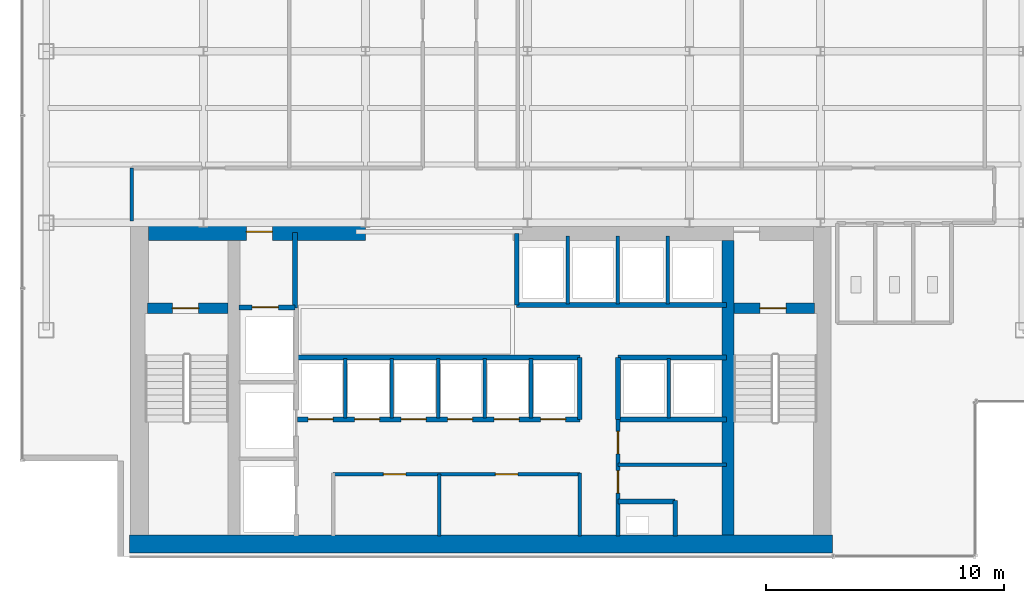
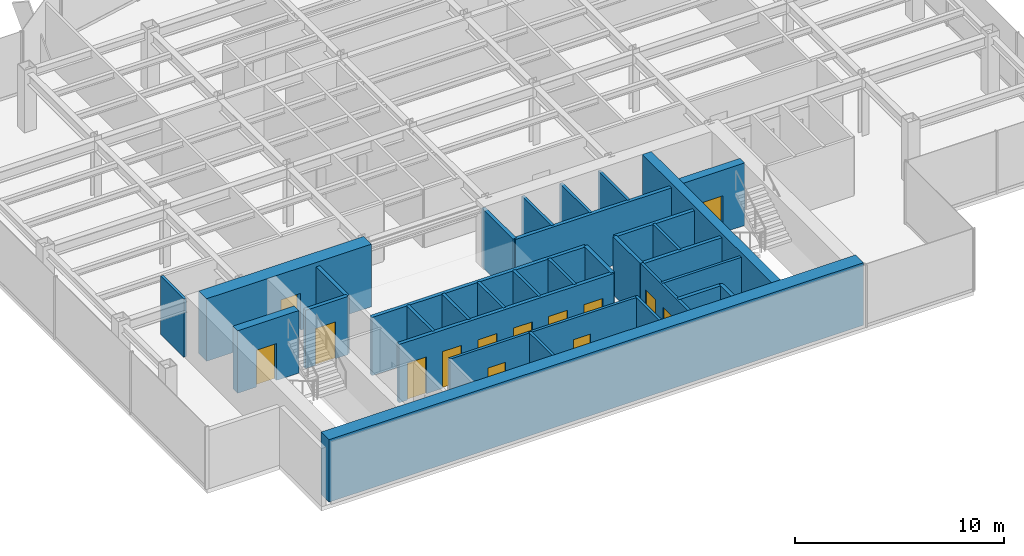
# One storey, part 20 of 25: 32 walls, 14 doors, 14 openings.
"""IFC4 building model written with IfcOpenShell, lengths in metres."""

from ifc_helpers import new_model, si_unit, derived_unit, direction, frame, frame_2d, origin, place, context, subcontext, project, spatial, rectangle, extrude, source, transform, mapped, material, layer, layer_set, type_object, element, fill, save


model = new_model("IFC4")

# Units and contexts
model_context = context("Model", 3, precision=1e-05, world=origin(), true_north=direction((0.0, 1.0)))
body_context = subcontext(model_context, "Body", "Model", "MODEL_VIEW")
ifc_project = project(units=[si_unit("LENGTHUNIT", "METRE"), si_unit("AREAUNIT", "SQUARE_METRE"), si_unit("VOLUMEUNIT", "CUBIC_METRE"), si_unit("PLANEANGLEUNIT", "RADIAN"), si_unit("MASSUNIT", "GRAM", prefix="KILO"), derived_unit("THERMALTRANSMITTANCEUNIT", [(si_unit("POWERUNIT", "WATT"), 1), (si_unit("LENGTHUNIT", "METRE"), -2), (si_unit("THERMODYNAMICTEMPERATUREUNIT", "KELVIN"), -1)])], contexts=[model_context])

# Site, building, storey
site_placement = place(None, origin())
site = spatial("IfcSite", under=ifc_project, at=site_placement, CompositionType="ELEMENT")
building_placement = place(site_placement, origin())
building = spatial("IfcBuilding", under=site, at=building_placement, Name="Skarnbrae Concourse Arena and Tower", CompositionType="ELEMENT")
storey_placement = place(building_placement, frame((0.0, 0.0, 158.85009765625)))
storey = spatial("IfcBuildingStorey", under=building, at=storey_placement, Name="L40", CompositionType="ELEMENT", Elevation=158.85009765625)

# Wall, opening, door
ifc_material_1 = material(Name="Concrete 50 MPa (C50/60)", Category="concrete")
ifc_layer_1 = layer(ifc_material_1, 0.449951171875)
ifc_layer_set_1 = layer_set([ifc_layer_1], Name="Concrete 50 MPa (C50/60)")
wall_type_1 = type_object("IfcWallType", Name="WALL-CORE-450-C50", PredefinedType="SHEAR", material=ifc_layer_set_1)
shared_shape_1 = source(origin(), body_context, "Body", "SweptSolid", [
    extrude(rectangle(XDim=3.389892578125, YDim=0.449951171875, at=frame_2d((1.69482421875, 0.0))), origin(), (0.0, 0.0, 1.0), 3.64990234375),
])
wall_1_placement = place(storey_placement, frame((5.25, 10.419921875, 0.0), z_axis=(0.0, 0.0, 1.0), x_axis=(1.0, 0.0, 0.0)))
wall_1 = element("IfcWall", 1, at=wall_1_placement, inside=storey, type_object=wall_type_1, Name="L40 Rear core shear wall CW-ST1-N", PredefinedType="SHEAR", context=body_context, shape_type="MappedRepresentation", body=[
    mapped(shared_shape_1, transform((0.0, 0.0, 0.0))),
])
opening_1_placement = place(wall_1_placement, frame((1.050048828125, 0.0, 0.0)))
opening_1 = element("IfcOpeningElement", 2, at=opening_1_placement, cuts=wall_1, Name="Opening DT-03", PredefinedType="OPENING", context=body_context, shape_type="SweptSolid", body=[
    extrude(rectangle(XDim=1.10009765625, YDim=2.14990234375, at=frame_2d((0.550048828125, 1.074951171875))), frame((0.0, 0.23486328125, 0.0), z_axis=(0.0, -1.0, 0.0), x_axis=(1.0, 0.0, 0.0)), (0.0, 0.0, 1.0), 0.469970703125),
])
ifc_material_2 = material(Name="Steel CSA G40.21 350W", Category="steel")
door_type_1 = type_object("IfcDoorType", Name="DOOR-FIRE-1100-90M", OperationType="NOTDEFINED", PredefinedType="DOOR", material=ifc_material_2)
shared_shape_2 = source(origin(), body_context, "Body", "SweptSolid", [
    extrude(rectangle(XDim=1.10009765625, YDim=2.14990234375, at=frame_2d((0.550048828125, 1.074951171875))), frame((0.0, 0.02490234375, 0.0), z_axis=(0.0, -1.0, 0.0), x_axis=(1.0, 0.0, 0.0)), (0.0, 0.0, 1.0), 0.050048828125),
])
door_1_placement = place(opening_1_placement, frame((1.10009765625, 0.0, 0.0), z_axis=(0.0, 0.0, 1.0), x_axis=(-1.0, 0.0, 0.0)))
door_1 = element("IfcDoor", 3, at=door_1_placement, inside=storey, type_object=door_type_1, Name="D-1235 Stair ST-1 Door", OperationType="SINGLE_SWING_LEFT", OverallHeight=2.14990234375, OverallWidth=1.10009765625, PredefinedType="DOOR", context=body_context, shape_type="MappedRepresentation", body=[
    mapped(shared_shape_2, transform((0.0, 0.0, 0.0))),
])
fill(opening_1, door_1)

wall_2_placement = place(storey_placement, frame((29.860107421875, 10.419921875, 0.0), z_axis=(0.0, 0.0, 1.0), x_axis=(1.0, 0.0, 0.0)))
wall_2 = element("IfcWall", 4, at=wall_2_placement, inside=storey, type_object=wall_type_1, Name="L40 Rear core shear wall CW-ST2-N", PredefinedType="SHEAR", context=body_context, shape_type="MappedRepresentation", body=[
    mapped(shared_shape_1, transform((0.0, 0.0, 0.0))),
])
opening_2_placement = place(wall_2_placement, frame((1.10009765625, 0.0, 0.0)))
opening_2 = element("IfcOpeningElement", 5, at=opening_2_placement, cuts=wall_2, Name="Opening DT-03", PredefinedType="OPENING", context=body_context, shape_type="SweptSolid", body=[
    extrude(rectangle(XDim=1.10009765625, YDim=2.14990234375, at=frame_2d((0.550048828125, 1.074951171875))), frame((0.0, 0.23486328125, 0.0), z_axis=(0.0, -1.0, 0.0), x_axis=(1.0, 0.0, 0.0)), (0.0, 0.0, 1.0), 0.469970703125),
])
door_2_placement = place(opening_2_placement, frame((1.10009765625, 0.0, 0.0), z_axis=(0.0, 0.0, 1.0), x_axis=(-1.0, 0.0, 0.0)))
door_2 = element("IfcDoor", 6, at=door_2_placement, inside=storey, type_object=door_type_1, Name="D-1236 Stair ST-2 Door", OperationType="SINGLE_SWING_RIGHT", OverallHeight=2.14990234375, OverallWidth=1.10009765625, PredefinedType="DOOR", context=body_context, shape_type="MappedRepresentation", body=[
    mapped(shared_shape_2, transform((0.0, 0.0, 0.0))),
])
fill(opening_2, door_2)

# Wall
ifc_material_3 = material(Name="Concrete 60 MPa (C60/75)", Category="concrete")
ifc_layer_2 = layer(ifc_material_3, 0.75)
ifc_layer_set_2 = layer_set([ifc_layer_2], Name="Concrete 60 MPa (C60/75)")
wall_type_2 = type_object("IfcWallType", Name="WALL-CORE-750-C60", PredefinedType="SHEAR", material=ifc_layer_set_2)
shared_shape_3 = source(origin(), body_context, "Body", "SweptSolid", [
    extrude(rectangle(XDim=29.5, YDim=0.75, at=frame_2d((14.75, 0.0))), origin(), (0.0, 0.0, 1.0), 3.64990234375),
])
wall_3_placement = place(storey_placement, frame((4.5, 0.52490234375, 0.0), z_axis=(0.0, 0.0, 1.0), x_axis=(1.0, 0.0, 0.0)))
element("IfcWall", 7, at=wall_3_placement, inside=storey, type_object=wall_type_2, Name="L40 Rear core shear wall CW-S", PredefinedType="SHEAR", context=body_context, shape_type="MappedRepresentation", body=[
    mapped(shared_shape_3, transform((0.0, 0.0, 0.0))),
])

# Wall, opening, door
shared_shape_4 = source(origin(), body_context, "Body", "SweptSolid", [
    extrude(rectangle(XDim=9.099853515625, YDim=0.75, at=frame_2d((4.5498046875, 0.0))), origin(), (0.0, 0.0, 1.0), 3.64990234375),
])
wall_4_placement = place(storey_placement, frame((5.300048828125, 13.625, 0.0), z_axis=(0.0, 0.0, 1.0), x_axis=(1.0, 0.0, 0.0)))
wall_4 = element("IfcWall", 8, at=wall_4_placement, inside=storey, type_object=wall_type_2, Name="L40 Rear core shear wall CW-NW", PredefinedType="SHEAR", context=body_context, shape_type="MappedRepresentation", body=[
    mapped(shared_shape_4, transform((0.0, 0.0, 0.0))),
])
opening_3_placement = place(wall_4_placement, frame((4.10009765625, 0.0, 0.0)))
opening_3 = element("IfcOpeningElement", 9, at=opening_3_placement, cuts=wall_4, Name="Opening DT-03", PredefinedType="OPENING", context=body_context, shape_type="SweptSolid", body=[
    extrude(rectangle(XDim=1.10009765625, YDim=2.14990234375, at=frame_2d((0.550048828125, 1.074951171875))), frame((0.0, 0.385009765625, 0.0), z_axis=(0.0, -1.0, 0.0), x_axis=(1.0, 0.0, 0.0)), (0.0, 0.0, 1.0), 0.77001953125),
])
door_3_placement = place(opening_3_placement, origin())
door_3 = element("IfcDoor", 10, at=door_3_placement, inside=storey, type_object=door_type_1, Name="D-1237 Firefighting Lobby Exit Door", OperationType="SINGLE_SWING_RIGHT", OverallHeight=2.14990234375, OverallWidth=1.10009765625, PredefinedType="DOOR", context=body_context, shape_type="MappedRepresentation", body=[
    mapped(shared_shape_2, transform((0.0, 0.0, 0.0))),
])
fill(opening_3, door_3)

# Walls
ifc_layer_3 = layer(ifc_material_3, 0.5)
ifc_layer_set_3 = layer_set([ifc_layer_3], Name="Concrete 60 MPa (C60/75)")
wall_type_3 = type_object("IfcWallType", Name="WALL-CORE-500-C60", PredefinedType="SHEAR", material=ifc_layer_set_3)
shared_shape_5 = source(origin(), body_context, "Body", "SweptSolid", [
    extrude(rectangle(XDim=12.35009765625, YDim=0.5, at=frame_2d((6.175048828125, 0.0))), origin(), (0.0, 0.0, 1.0), 3.64990234375),
])
wall_5_placement = place(storey_placement, frame((29.610107421875, 0.89990234375, 0.0), z_axis=(0.0, 0.0, 1.0), x_axis=(0.0, 1.0, 0.0)))
element("IfcWall", 11, at=wall_5_placement, inside=storey, type_object=wall_type_3, Name="L40 Rear core shear wall CW-WEB-E", PredefinedType="SHEAR", context=body_context, shape_type="MappedRepresentation", body=[
    mapped(shared_shape_5, transform((0.0, 0.0, 0.0))),
])
ifc_material_4 = material(Name="Gypsum board on cold-formed steel studs", Category="steel")
ifc_layer_4 = layer(ifc_material_4, 0.199951171875)
ifc_layer_set_4 = layer_set([ifc_layer_4], Name="Gypsum board on cold-formed steel studs")
wall_type_4 = type_object("IfcWallType", Name="WALL-PART-200-2HR", PredefinedType="PARTITIONING", material=ifc_layer_set_4)
shared_shape_6 = source(origin(), body_context, "Body", "SweptSolid", [
    extrude(rectangle(XDim=3.18017578125, YDim=0.199951171875, at=frame_2d((1.590087890625, 0.0))), origin(), (0.0, 0.0, 1.0), 3.39990234375),
])
wall_6_placement = place(storey_placement, frame((11.449951171875, 10.419921875, 0.0), z_axis=(0.0, 0.0, 1.0), x_axis=(0.0, 1.0, 0.0)))
element("IfcWall", 12, at=wall_6_placement, inside=storey, type_object=wall_type_4, Name="L40 Interior partition wall W-L40-FFL-E", PredefinedType="PARTITIONING", context=body_context, shape_type="MappedRepresentation", body=[
    mapped(shared_shape_6, transform((0.0, 0.0, 0.0))),
])

# Wall, opening, door
shared_shape_7 = source(origin(), body_context, "Body", "SweptSolid", [
    extrude(rectangle(XDim=2.349853515625, YDim=0.199951171875, at=frame_2d((1.1748046875, 0.0))), origin(), (0.0, 0.0, 1.0), 3.39990234375),
])
wall_7_placement = place(storey_placement, frame((9.10009765625, 10.449951171875, 0.0), z_axis=(0.0, 0.0, 1.0), x_axis=(1.0, 0.0, 0.0)))
wall_7 = element("IfcWall", 13, at=wall_7_placement, inside=storey, type_object=wall_type_4, Name="L40 Interior partition wall W-L40-FL1-N", PredefinedType="PARTITIONING", context=body_context, shape_type="MappedRepresentation", body=[
    mapped(shared_shape_7, transform((0.0, 0.0, 0.0))),
])
opening_4_placement = place(wall_7_placement, frame((0.550048828125, 0.0, 0.0)))
opening_4 = element("IfcOpeningElement", 14, at=opening_4_placement, cuts=wall_7, Name="Opening LD-01", PredefinedType="OPENING", context=body_context, shape_type="SweptSolid", body=[
    extrude(rectangle(XDim=1.10009765625, YDim=2.14990234375, at=frame_2d((0.550048828125, 1.074951171875))), frame((0.0, 0.10986328125, 0.0), z_axis=(0.0, -1.0, 0.0), x_axis=(1.0, 0.0, 0.0)), (0.0, 0.0, 1.0), 0.219970703125),
])
door_type_2 = type_object("IfcDoorType", Name="DOOR-LIFT-SLIDE-1100", OperationType="SLIDING_TO_LEFT", PredefinedType="DOOR", material=ifc_material_2)
door_4_placement = place(opening_4_placement, origin())
door_4 = element("IfcDoor", 15, at=door_4_placement, inside=storey, type_object=door_type_2, Name="D-1239 Firefighting Lift Landing Door FL-01", OperationType="SLIDING_TO_LEFT", OverallHeight=2.14990234375, OverallWidth=1.10009765625, PredefinedType="DOOR", context=body_context, shape_type="MappedRepresentation", body=[
    mapped(shared_shape_2, transform((0.0, 0.0, 0.0))),
])
fill(opening_4, door_4)

# Wall
ifc_layer_5 = layer(ifc_material_4, 0.14990234375)
ifc_layer_set_5 = layer_set([ifc_layer_5], Name="Gypsum board on cold-formed steel studs")
wall_type_5 = type_object("IfcWallType", Name="WALL-PART-150", PredefinedType="PARTITIONING", material=ifc_layer_set_5)
shared_shape_8 = source(origin(), body_context, "Body", "SweptSolid", [
    extrude(rectangle(XDim=2.599853515625, YDim=0.14990234375, at=frame_2d((1.2998046875, 0.0))), origin(), (0.0, 0.0, 1.0), 3.39990234375),
])
wall_8_placement = place(storey_placement, frame((17.5, 0.85009765625, 0.0), z_axis=(0.0, 0.0, 1.0), x_axis=(0.0, 1.0, 0.0)))
element("IfcWall", 16, at=wall_8_placement, inside=storey, type_object=wall_type_5, Name="L40 Interior partition wall W-L40-B1M-C1", PredefinedType="PARTITIONING", context=body_context, shape_type="MappedRepresentation", body=[
    mapped(shared_shape_8, transform((0.0, 0.0, 0.0))),
])

# Wall, openings, doors
shared_shape_9 = source(origin(), body_context, "Body", "SweptSolid", [
    extrude(rectangle(XDim=11.849853515625, YDim=0.199951171875, at=frame_2d((5.9248046875, 0.0))), origin(), (0.0, 0.0, 1.0), 3.39990234375),
])
wall_9_placement = place(storey_placement, frame((11.550048828125, 5.75, 0.0), z_axis=(0.0, 0.0, 1.0), x_axis=(1.0, 0.0, 0.0)))
wall_9 = element("IfcWall", 17, at=wall_9_placement, inside=storey, type_object=wall_type_4, Name="L40 Interior partition wall W-L40-B2-S", PredefinedType="PARTITIONING", context=body_context, shape_type="MappedRepresentation", body=[
    mapped(shared_shape_9, transform((0.0, 0.0, 0.0))),
])
opening_5_placement = place(wall_9_placement, frame((0.449951171875, 0.0, 0.0)))
opening_5 = element("IfcOpeningElement", 18, at=opening_5_placement, cuts=wall_9, Name="Opening LD-03", PredefinedType="OPENING", context=body_context, shape_type="SweptSolid", body=[
    extrude(rectangle(XDim=1.050048828125, YDim=2.14990234375, at=frame_2d((0.52490234375, 1.074951171875))), frame((0.0, 0.10986328125, 0.0), z_axis=(0.0, -1.0, 0.0), x_axis=(1.0, 0.0, 0.0)), (0.0, 0.0, 1.0), 0.219970703125),
])
opening_6_placement = place(wall_9_placement, frame((2.39990234375, 0.0, 0.0)))
opening_6 = element("IfcOpeningElement", 19, at=opening_6_placement, cuts=wall_9, Name="Opening LD-03", PredefinedType="OPENING", context=body_context, shape_type="SweptSolid", body=[
    extrude(rectangle(XDim=1.050048828125, YDim=2.14990234375, at=frame_2d((0.52490234375, 1.074951171875))), frame((0.0, 0.10986328125, 0.0), z_axis=(0.0, -1.0, 0.0), x_axis=(1.0, 0.0, 0.0)), (0.0, 0.0, 1.0), 0.219970703125),
])
opening_7_placement = place(wall_9_placement, frame((4.35009765625, 0.0, 0.0)))
opening_7 = element("IfcOpeningElement", 20, at=opening_7_placement, cuts=wall_9, Name="Opening LD-03", PredefinedType="OPENING", context=body_context, shape_type="SweptSolid", body=[
    extrude(rectangle(XDim=1.050048828125, YDim=2.14990234375, at=frame_2d((0.52490234375, 1.074951171875))), frame((0.0, 0.10986328125, 0.0), z_axis=(0.0, -1.0, 0.0), x_axis=(1.0, 0.0, 0.0)), (0.0, 0.0, 1.0), 0.219970703125),
])
opening_8_placement = place(wall_9_placement, frame((6.300048828125, 0.0, 0.0)))
opening_8 = element("IfcOpeningElement", 21, at=opening_8_placement, cuts=wall_9, Name="Opening LD-03", PredefinedType="OPENING", context=body_context, shape_type="SweptSolid", body=[
    extrude(rectangle(XDim=1.050048828125, YDim=2.14990234375, at=frame_2d((0.52490234375, 1.074951171875))), frame((0.0, 0.10986328125, 0.0), z_axis=(0.0, -1.0, 0.0), x_axis=(1.0, 0.0, 0.0)), (0.0, 0.0, 1.0), 0.219970703125),
])
opening_9_placement = place(wall_9_placement, frame((8.25, 0.0, 0.0)))
opening_9 = element("IfcOpeningElement", 22, at=opening_9_placement, cuts=wall_9, Name="Opening LD-03", PredefinedType="OPENING", context=body_context, shape_type="SweptSolid", body=[
    extrude(rectangle(XDim=1.050048828125, YDim=2.14990234375, at=frame_2d((0.52490234375, 1.074951171875))), frame((0.0, 0.10986328125, 0.0), z_axis=(0.0, -1.0, 0.0), x_axis=(1.0, 0.0, 0.0)), (0.0, 0.0, 1.0), 0.219970703125),
])
opening_10_placement = place(wall_9_placement, frame((10.199951171875, 0.0, 0.0)))
opening_10 = element("IfcOpeningElement", 23, at=opening_10_placement, cuts=wall_9, Name="Opening LD-03", PredefinedType="OPENING", context=body_context, shape_type="SweptSolid", body=[
    extrude(rectangle(XDim=1.050048828125, YDim=2.14990234375, at=frame_2d((0.52490234375, 1.074951171875))), frame((0.0, 0.10986328125, 0.0), z_axis=(0.0, -1.0, 0.0), x_axis=(1.0, 0.0, 0.0)), (0.0, 0.0, 1.0), 0.219970703125),
])
ifc_material_5 = material(Name="Bronze anodised aluminium 6063-T6", Category="aluminium")
door_type_3 = type_object("IfcDoorType", Name="DOOR-LIFT-SLIDE-1050", OperationType="SLIDING_TO_LEFT", PredefinedType="DOOR", material=ifc_material_5)
shared_shape_10 = source(origin(), body_context, "Body", "SweptSolid", [
    extrude(rectangle(XDim=1.050048828125, YDim=2.14990234375, at=frame_2d((0.52490234375, 1.074951171875))), frame((0.0, 0.02490234375, 0.0), z_axis=(0.0, -1.0, 0.0), x_axis=(1.0, 0.0, 0.0)), (0.0, 0.0, 1.0), 0.050048828125),
])
door_5_placement = place(opening_5_placement, frame((1.050048828125, 0.0, 0.0), z_axis=(0.0, 0.0, 1.0), x_axis=(-1.0, 0.0, 0.0)))
door_5 = element("IfcDoor", 24, at=door_5_placement, inside=storey, type_object=door_type_3, Name="D-1244 Passenger Lift Landing Door PL-2A", OperationType="SLIDING_TO_LEFT", OverallHeight=2.14990234375, OverallWidth=1.050048828125, PredefinedType="DOOR", context=body_context, shape_type="MappedRepresentation", body=[
    mapped(shared_shape_10, transform((0.0, 0.0, 0.0))),
])
fill(opening_5, door_5)
door_6_placement = place(opening_6_placement, frame((1.050048828125, 0.0, 0.0), z_axis=(0.0, 0.0, 1.0), x_axis=(-1.0, 0.0, 0.0)))
door_6 = element("IfcDoor", 25, at=door_6_placement, inside=storey, type_object=door_type_3, Name="D-1245 Passenger Lift Landing Door PL-2B", OperationType="SLIDING_TO_LEFT", OverallHeight=2.14990234375, OverallWidth=1.050048828125, PredefinedType="DOOR", context=body_context, shape_type="MappedRepresentation", body=[
    mapped(shared_shape_10, transform((0.0, 0.0, 0.0))),
])
fill(opening_6, door_6)
door_7_placement = place(opening_7_placement, frame((1.050048828125, 0.0, 0.0), z_axis=(0.0, 0.0, 1.0), x_axis=(-1.0, 0.0, 0.0)))
door_7 = element("IfcDoor", 26, at=door_7_placement, inside=storey, type_object=door_type_3, Name="D-1246 Passenger Lift Landing Door PL-2C", OperationType="SLIDING_TO_LEFT", OverallHeight=2.14990234375, OverallWidth=1.050048828125, PredefinedType="DOOR", context=body_context, shape_type="MappedRepresentation", body=[
    mapped(shared_shape_10, transform((0.0, 0.0, 0.0))),
])
fill(opening_7, door_7)
door_8_placement = place(opening_8_placement, frame((1.050048828125, 0.0, 0.0), z_axis=(0.0, 0.0, 1.0), x_axis=(-1.0, 0.0, 0.0)))
door_8 = element("IfcDoor", 27, at=door_8_placement, inside=storey, type_object=door_type_3, Name="D-1247 Passenger Lift Landing Door PL-2D", OperationType="SLIDING_TO_LEFT", OverallHeight=2.14990234375, OverallWidth=1.050048828125, PredefinedType="DOOR", context=body_context, shape_type="MappedRepresentation", body=[
    mapped(shared_shape_10, transform((0.0, 0.0, 0.0))),
])
fill(opening_8, door_8)
door_9_placement = place(opening_9_placement, frame((1.050048828125, 0.0, 0.0), z_axis=(0.0, 0.0, 1.0), x_axis=(-1.0, 0.0, 0.0)))
door_9 = element("IfcDoor", 28, at=door_9_placement, inside=storey, type_object=door_type_3, Name="D-1248 Passenger Lift Landing Door PL-2E", OperationType="SLIDING_TO_LEFT", OverallHeight=2.14990234375, OverallWidth=1.050048828125, PredefinedType="DOOR", context=body_context, shape_type="MappedRepresentation", body=[
    mapped(shared_shape_10, transform((0.0, 0.0, 0.0))),
])
fill(opening_9, door_9)
door_10_placement = place(opening_10_placement, frame((1.050048828125, 0.0, 0.0), z_axis=(0.0, 0.0, 1.0), x_axis=(-1.0, 0.0, 0.0)))
door_10 = element("IfcDoor", 29, at=door_10_placement, inside=storey, type_object=door_type_3, Name="D-1249 Passenger Lift Landing Door PL-2F", OperationType="SLIDING_TO_LEFT", OverallHeight=2.14990234375, OverallWidth=1.050048828125, PredefinedType="DOOR", context=body_context, shape_type="MappedRepresentation", body=[
    mapped(shared_shape_10, transform((0.0, 0.0, 0.0))),
])
fill(opening_10, door_10)

# Walls
wall_10_placement = place(storey_placement, frame((11.550048828125, 8.35009765625, 0.0), z_axis=(0.0, 0.0, 1.0), x_axis=(1.0, 0.0, 0.0)))
element("IfcWall", 30, at=wall_10_placement, inside=storey, type_object=wall_type_4, Name="L40 Interior partition wall W-L40-B2-N", PredefinedType="PARTITIONING", context=body_context, shape_type="MappedRepresentation", body=[
    mapped(shared_shape_9, transform((0.0, 0.0, 0.0))),
])
shared_shape_11 = source(origin(), body_context, "Body", "SweptSolid", [
    extrude(rectangle(XDim=2.60009765625, YDim=0.199951171875, at=frame_2d((1.300048828125, 0.0))), origin(), (0.0, 0.0, 1.0), 3.39990234375),
])
for number, where, z_axis, x_axis, name in (
    (31, (23.39990234375, 5.75, 0.0), (0.0, 0.0, 1.0), (0.0, 1.0, 0.0), "L40 Interior partition wall W-L40-B2-E"),
    (32, (25.0, 5.75, 0.0), (0.0, 0.0, 1.0), (0.0, 1.0, 0.0), "L40 Interior partition wall W-L40-B3S-W"),
):
    element("IfcWall", number, at=place(storey_placement, frame(where, z_axis=z_axis, x_axis=x_axis)), inside=storey, type_object=wall_type_4, Name=name, PredefinedType="PARTITIONING", context=body_context, shape_type="MappedRepresentation", body=[
        mapped(shared_shape_11, transform((0.0, 0.0, 0.0))),
    ])
shared_shape_12 = source(origin(), body_context, "Body", "SweptSolid", [
    extrude(rectangle(XDim=2.5, YDim=0.14990234375, at=frame_2d((1.25, 0.0))), origin(), (0.0, 0.0, 1.0), 3.39990234375),
])
for number, where, z_axis, x_axis, name in (
    (33, (13.550048828125, 5.800048828125, 0.0), (0.0, 0.0, 1.0), (0.0, 1.0, 0.0), "L40 Interior partition wall W-L40-B2-P1"),
    (34, (15.5, 5.800048828125, 0.0), (0.0, 0.0, 1.0), (0.0, 1.0, 0.0), "L40 Interior partition wall W-L40-B2-P2"),
    (35, (17.449951171875, 5.800048828125, 0.0), (0.0, 0.0, 1.0), (0.0, 1.0, 0.0), "L40 Interior partition wall W-L40-B2-P3"),
    (36, (19.39990234375, 5.800048828125, 0.0), (0.0, 0.0, 1.0), (0.0, 1.0, 0.0), "L40 Interior partition wall W-L40-B2-P4"),
    (37, (21.35009765625, 5.800048828125, 0.0), (0.0, 0.0, 1.0), (0.0, 1.0, 0.0), "L40 Interior partition wall W-L40-B2-P5"),
    (38, (27.139892578125, 5.800048828125, 0.0), (0.0, 0.0, 1.0), (0.0, 1.0, 0.0), "L40 Interior partition wall W-L40-B3S-P1"),
):
    element("IfcWall", number, at=place(storey_placement, frame(where, z_axis=z_axis, x_axis=x_axis)), inside=storey, type_object=wall_type_5, Name=name, PredefinedType="PARTITIONING", context=body_context, shape_type="MappedRepresentation", body=[
        mapped(shared_shape_12, transform((0.0, 0.0, 0.0))),
    ])
shared_shape_13 = source(origin(), body_context, "Body", "SweptSolid", [
    extrude(rectangle(XDim=8.800048828125, YDim=0.199951171875, at=frame_2d((4.39990234375, 0.0))), origin(), (0.0, 0.0, 1.0), 3.39990234375),
])
wall_11_placement = place(storey_placement, frame((20.75, 10.550048828125, 0.0), z_axis=(0.0, 0.0, 1.0), x_axis=(1.0, 0.0, 0.0)))
element("IfcWall", 39, at=wall_11_placement, inside=storey, type_object=wall_type_4, Name="L40 Interior partition wall W-L40-B3N-S", PredefinedType="PARTITIONING", context=body_context, shape_type="MappedRepresentation", body=[
    mapped(shared_shape_13, transform((0.0, 0.0, 0.0))),
])
shared_shape_14 = source(origin(), body_context, "Body", "SweptSolid", [
    extrude(rectangle(XDim=3.0, YDim=0.199951171875, at=frame_2d((1.5, 0.0))), origin(), (0.0, 0.0, 1.0), 3.39990234375),
])
wall_12_placement = place(storey_placement, frame((20.75, 10.550048828125, 0.0), z_axis=(0.0, 0.0, 1.0), x_axis=(0.0, 1.0, 0.0)))
element("IfcWall", 40, at=wall_12_placement, inside=storey, type_object=wall_type_4, Name="L40 Interior partition wall W-L40-B3N-W", PredefinedType="PARTITIONING", context=body_context, shape_type="MappedRepresentation", body=[
    mapped(shared_shape_14, transform((0.0, 0.0, 0.0))),
])
shared_shape_15 = source(origin(), body_context, "Body", "SweptSolid", [
    extrude(rectangle(XDim=2.849853515625, YDim=0.14990234375, at=frame_2d((1.4248046875, 0.0))), origin(), (0.0, 0.0, 1.0), 3.39990234375),
])
for number, where, z_axis, x_axis, name in (
    (41, (22.889892578125, 10.60009765625, 0.0), (0.0, 0.0, 1.0), (0.0, 1.0, 0.0), "L40 Interior partition wall W-L40-B3N-P1"),
    (42, (24.989990234375, 10.60009765625, 0.0), (0.0, 0.0, 1.0), (0.0, 1.0, 0.0), "L40 Interior partition wall W-L40-B3N-P2"),
    (43, (27.090087890625, 10.60009765625, 0.0), (0.0, 0.0, 1.0), (0.0, 1.0, 0.0), "L40 Interior partition wall W-L40-B3N-P3"),
):
    element("IfcWall", number, at=place(storey_placement, frame(where, z_axis=z_axis, x_axis=x_axis)), inside=storey, type_object=wall_type_5, Name=name, PredefinedType="PARTITIONING", context=body_context, shape_type="MappedRepresentation", body=[
        mapped(shared_shape_15, transform((0.0, 0.0, 0.0))),
    ])
shared_shape_16 = source(origin(), body_context, "Body", "SweptSolid", [
    extrude(rectangle(XDim=4.550048828125, YDim=0.199951171875, at=frame_2d((2.27490234375, 0.0))), origin(), (0.0, 0.0, 1.0), 3.39990234375),
])
for number, where, z_axis, x_axis, name in (
    (44, (25.0, 8.35009765625, 0.0), (0.0, 0.0, 1.0), (1.0, 0.0, 0.0), "L40 Interior partition wall W-L40-B3S-N"),
    (45, (25.0, 5.75, 0.0), (0.0, 0.0, 1.0), (1.0, 0.0, 0.0), "L40 Interior partition wall W-L40-B3S-S"),
):
    element("IfcWall", number, at=place(storey_placement, frame(where, z_axis=z_axis, x_axis=x_axis)), inside=storey, type_object=wall_type_4, Name=name, PredefinedType="PARTITIONING", context=body_context, shape_type="MappedRepresentation", body=[
        mapped(shared_shape_16, transform((0.0, 0.0, 0.0))),
    ])

# Wall, openings, doors
ifc_layer_6 = layer(ifc_material_4, 0.14990234375)
ifc_layer_set_6 = layer_set([ifc_layer_6], Name="Gypsum board on cold-formed steel studs")
wall_type_6 = type_object("IfcWallType", Name="WALL-PART-150-1HR", PredefinedType="PARTITIONING", material=ifc_layer_set_6)
shared_shape_17 = source(origin(), body_context, "Body", "SweptSolid", [
    extrude(rectangle(XDim=4.89990234375, YDim=0.14990234375, at=frame_2d((2.449951171875, 0.0))), origin(), (0.0, 0.0, 1.0), 3.39990234375),
])
wall_13_placement = place(storey_placement, frame((25.0, 0.85009765625, 0.0), z_axis=(0.0, 0.0, 1.0), x_axis=(0.0, 1.0, 0.0)))
wall_13 = element("IfcWall", 46, at=wall_13_placement, inside=storey, type_object=wall_type_6, Name="L40 Interior partition wall W-L40-CSV-W", PredefinedType="PARTITIONING", context=body_context, shape_type="MappedRepresentation", body=[
    mapped(shared_shape_17, transform((0.0, 0.0, 0.0))),
])
opening_11_placement = place(wall_13_placement, frame((1.800048828125, 0.0, 0.0)))
opening_11 = element("IfcOpeningElement", 47, at=opening_11_placement, cuts=wall_13, Name="Opening DT-04", PredefinedType="OPENING", context=body_context, shape_type="SweptSolid", body=[
    extrude(rectangle(XDim=0.949951171875, YDim=2.14990234375, at=frame_2d((0.47509765625, 1.074951171875))), frame((0.0, 0.0849609375, 0.0), z_axis=(0.0, -1.0, 0.0), x_axis=(1.0, 0.0, 0.0)), (0.0, 0.0, 1.0), 0.169921875),
])
opening_12_placement = place(wall_13_placement, frame((3.449951171875, 0.0, 0.0)))
opening_12 = element("IfcOpeningElement", 48, at=opening_12_placement, cuts=wall_13, Name="Opening DT-04", PredefinedType="OPENING", context=body_context, shape_type="SweptSolid", body=[
    extrude(rectangle(XDim=0.949951171875, YDim=2.14990234375, at=frame_2d((0.47509765625, 1.074951171875))), frame((0.0, 0.0849609375, 0.0), z_axis=(0.0, -1.0, 0.0), x_axis=(1.0, 0.0, 0.0)), (0.0, 0.0, 1.0), 0.169921875),
])
door_type_4 = type_object("IfcDoorType", Name="DOOR-INT-950-45M", OperationType="NOTDEFINED", PredefinedType="DOOR", material=ifc_material_2)
shared_shape_18 = source(origin(), body_context, "Body", "SweptSolid", [
    extrude(rectangle(XDim=0.949951171875, YDim=2.14990234375, at=frame_2d((0.47509765625, 1.074951171875))), frame((0.0, 0.02490234375, 0.0), z_axis=(0.0, -1.0, 0.0), x_axis=(1.0, 0.0, 0.0)), (0.0, 0.0, 1.0), 0.050048828125),
])
door_11_placement = place(opening_11_placement, origin())
door_11 = element("IfcDoor", 49, at=door_11_placement, inside=storey, type_object=door_type_4, Name="D-1250 Electrical Switch Room Door", OperationType="SINGLE_SWING_LEFT", OverallHeight=2.14990234375, OverallWidth=0.949951171875, PredefinedType="DOOR", context=body_context, shape_type="MappedRepresentation", body=[
    mapped(shared_shape_18, transform((0.0, 0.0, 0.0))),
])
fill(opening_11, door_11)
door_12_placement = place(opening_12_placement, origin())
door_12 = element("IfcDoor", 50, at=door_12_placement, inside=storey, type_object=door_type_4, Name="D-1251 Cleaner Store Door", OperationType="SINGLE_SWING_RIGHT", OverallHeight=2.14990234375, OverallWidth=0.949951171875, PredefinedType="DOOR", context=body_context, shape_type="MappedRepresentation", body=[
    mapped(shared_shape_18, transform((0.0, 0.0, 0.0))),
])
fill(opening_12, door_12)

# Walls
shared_shape_19 = source(origin(), body_context, "Body", "SweptSolid", [
    extrude(rectangle(XDim=2.39990234375, YDim=0.199951171875, at=frame_2d((1.199951171875, 0.0))), origin(), (0.0, 0.0, 1.0), 3.39990234375),
])
wall_14_placement = place(storey_placement, frame((25.0, 2.300048828125, 0.0), z_axis=(0.0, 0.0, 1.0), x_axis=(1.0, 0.0, 0.0)))
element("IfcWall", 51, at=wall_14_placement, inside=storey, type_object=wall_type_4, Name="L40 Interior partition wall W-L40-MEP-N", PredefinedType="PARTITIONING", context=body_context, shape_type="MappedRepresentation", body=[
    mapped(shared_shape_19, transform((0.0, 0.0, 0.0))),
])
shared_shape_20 = source(origin(), body_context, "Body", "SweptSolid", [
    extrude(rectangle(XDim=1.5, YDim=0.199951171875, at=frame_2d((0.75, 0.0))), origin(), (0.0, 0.0, 1.0), 3.39990234375),
])
wall_15_placement = place(storey_placement, frame((27.39990234375, 0.85009765625, 0.0), z_axis=(0.0, 0.0, 1.0), x_axis=(0.0, 1.0, 0.0)))
element("IfcWall", 52, at=wall_15_placement, inside=storey, type_object=wall_type_4, Name="L40 Interior partition wall W-L40-MEP-E", PredefinedType="PARTITIONING", context=body_context, shape_type="MappedRepresentation", body=[
    mapped(shared_shape_20, transform((0.0, 0.0, 0.0))),
])
shared_shape_21 = source(origin(), body_context, "Body", "SweptSolid", [
    extrude(rectangle(XDim=4.550048828125, YDim=0.14990234375, at=frame_2d((2.27490234375, 0.0))), origin(), (0.0, 0.0, 1.0), 3.39990234375),
])
wall_16_placement = place(storey_placement, frame((25.0, 3.85009765625, 0.0), z_axis=(0.0, 0.0, 1.0), x_axis=(1.0, 0.0, 0.0)))
element("IfcWall", 53, at=wall_16_placement, inside=storey, type_object=wall_type_5, Name="L40 Interior partition wall W-L40-CSV-H", PredefinedType="PARTITIONING", context=body_context, shape_type="MappedRepresentation", body=[
    mapped(shared_shape_21, transform((0.0, 0.0, 0.0))),
])
shared_shape_22 = source(origin(), body_context, "Body", "SweptSolid", [
    extrude(rectangle(XDim=2.64990234375, YDim=0.14990234375, at=frame_2d((1.324951171875, 0.0))), origin(), (0.0, 0.0, 1.0), 3.39990234375),
])
wall_17_placement = place(storey_placement, frame((23.39990234375, 0.85009765625, 0.0), z_axis=(0.0, 0.0, 1.0), x_axis=(0.0, 1.0, 0.0)))
element("IfcWall", 54, at=wall_17_placement, inside=storey, type_object=wall_type_6, Name="L40 Interior partition wall W-L40-B1M-E", PredefinedType="PARTITIONING", context=body_context, shape_type="MappedRepresentation", body=[
    mapped(shared_shape_22, transform((0.0, 0.0, 0.0))),
])

# Wall, openings, doors
shared_shape_23 = source(origin(), body_context, "Body", "SweptSolid", [
    extrude(rectangle(XDim=10.349853515625, YDim=0.14990234375, at=frame_2d((5.1748046875, 0.0))), origin(), (0.0, 0.0, 1.0), 3.39990234375),
])
wall_18_placement = place(storey_placement, frame((13.050048828125, 3.449951171875, 0.0), z_axis=(0.0, 0.0, 1.0), x_axis=(1.0, 0.0, 0.0)))
wall_18 = element("IfcWall", 55, at=wall_18_placement, inside=storey, type_object=wall_type_6, Name="L40 Interior partition wall W-L40-B1M-N", PredefinedType="PARTITIONING", context=body_context, shape_type="MappedRepresentation", body=[
    mapped(shared_shape_23, transform((0.0, 0.0, 0.0))),
])
opening_13_placement = place(wall_18_placement, frame((2.10009765625, 0.0, 0.0)))
opening_13 = element("IfcOpeningElement", 56, at=opening_13_placement, cuts=wall_18, Name="Opening DT-04", PredefinedType="OPENING", context=body_context, shape_type="SweptSolid", body=[
    extrude(rectangle(XDim=0.949951171875, YDim=2.14990234375, at=frame_2d((0.47509765625, 1.074951171875))), frame((0.0, 0.0849609375, 0.0), z_axis=(0.0, -1.0, 0.0), x_axis=(1.0, 0.0, 0.0)), (0.0, 0.0, 1.0), 0.169921875),
])
opening_14_placement = place(wall_18_placement, frame((6.800048828125, 0.0, 0.0)))
opening_14 = element("IfcOpeningElement", 57, at=opening_14_placement, cuts=wall_18, Name="Opening DT-04", PredefinedType="OPENING", context=body_context, shape_type="SweptSolid", body=[
    extrude(rectangle(XDim=0.949951171875, YDim=2.14990234375, at=frame_2d((0.47509765625, 1.074951171875))), frame((0.0, 0.0849609375, 0.0), z_axis=(0.0, -1.0, 0.0), x_axis=(1.0, 0.0, 0.0)), (0.0, 0.0, 1.0), 0.169921875),
])
door_13_placement = place(opening_13_placement, origin())
door_13 = element("IfcDoor", 58, at=door_13_placement, inside=storey, type_object=door_type_4, Name="D-1242 Core IT Room Door", OperationType="SINGLE_SWING_LEFT", OverallHeight=2.14990234375, OverallWidth=0.949951171875, PredefinedType="DOOR", context=body_context, shape_type="MappedRepresentation", body=[
    mapped(shared_shape_18, transform((0.0, 0.0, 0.0))),
])
fill(opening_13, door_13)
door_14_placement = place(opening_14_placement, origin())
door_14 = element("IfcDoor", 59, at=door_14_placement, inside=storey, type_object=door_type_4, Name="D-1243 Core Records Store Door", OperationType="SINGLE_SWING_RIGHT", OverallHeight=2.14990234375, OverallWidth=0.949951171875, PredefinedType="DOOR", context=body_context, shape_type="MappedRepresentation", body=[
    mapped(shared_shape_18, transform((0.0, 0.0, 0.0))),
])
fill(opening_14, door_14)

# Wall
shared_shape_24 = source(origin(), body_context, "Body", "SweptSolid", [
    extrude(rectangle(XDim=2.219970703125, YDim=0.14990234375, at=frame_2d((1.10986328125, 0.0))), origin(), (0.0, 0.0, 1.0), 3.39990234375),
])
wall_19_placement = place(storey_placement, frame((4.60009765625, 14.080078125, 0.0), z_axis=(0.0, 0.0, 1.0), x_axis=(0.0, 1.0, 0.0)))
element("IfcWall", 60, at=wall_19_placement, inside=storey, type_object=wall_type_6, Name="L40 Interior partition wall W-L40-COR-01", PredefinedType="PARTITIONING", context=body_context, shape_type="MappedRepresentation", body=[
    mapped(shared_shape_24, transform((0.0, 0.0, 0.0))),
])

save(model, "model.ifc")
